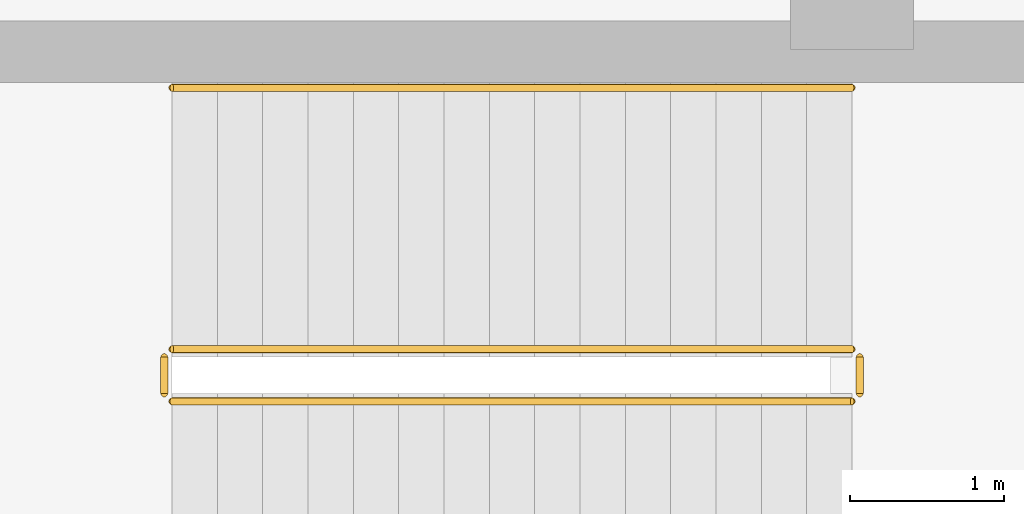
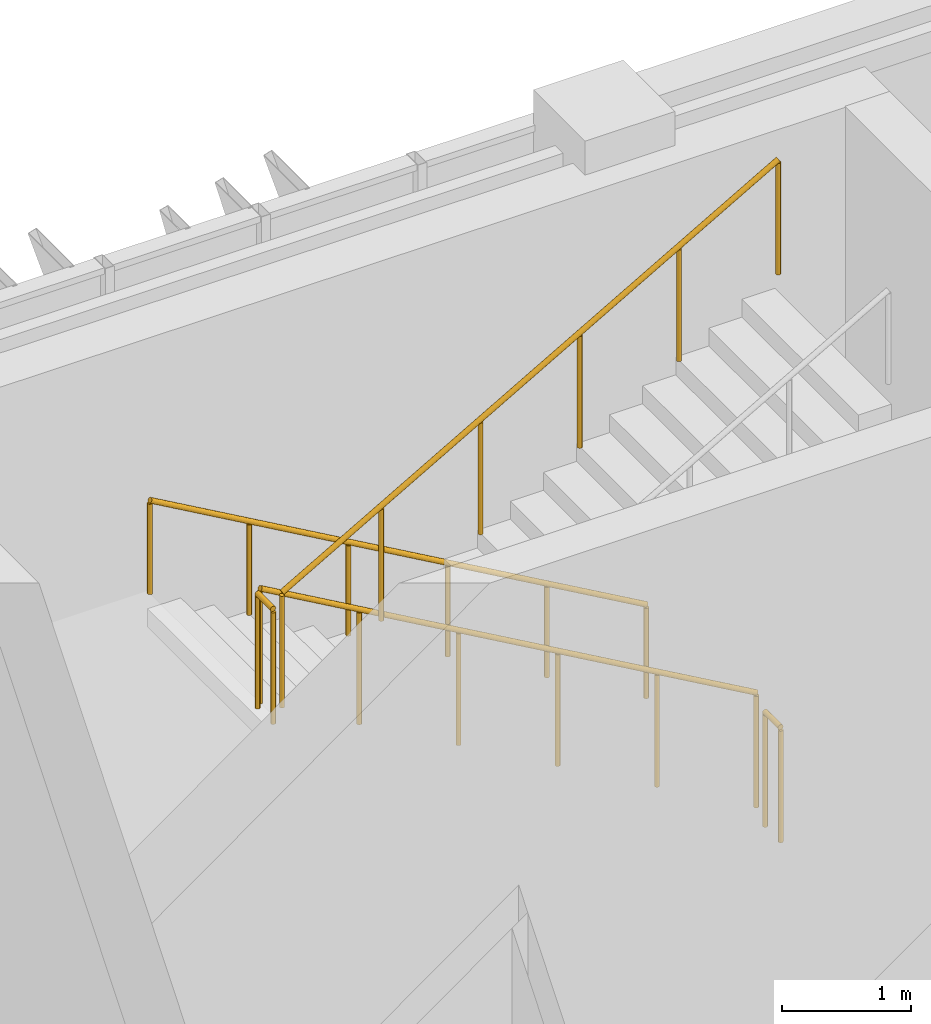
# One storey, part 113 of 122: 5 railings.
"""IFC4 building model written with IfcOpenShell, lengths in metres."""

from ifc_helpers import new_model, si_unit, direction, frame, origin, origin_2d, place, context, subcontext, project, spatial, circle, extrude, material, type_object, element, save


model = new_model("IFC4")

# Units and contexts
model_context = context("Model", 3, precision=1e-05, world=origin(), true_north=direction((0.0, 1.0)))
body_context = subcontext(model_context, "Body", "Model", "MODEL_VIEW")
ifc_project = project(units=[si_unit("LENGTHUNIT", "METRE"), si_unit("AREAUNIT", "SQUARE_METRE"), si_unit("VOLUMEUNIT", "CUBIC_METRE"), si_unit("PLANEANGLEUNIT", "RADIAN"), si_unit("MASSUNIT", "GRAM", prefix="KILO")], contexts=[model_context])

# Site, building, storey
site_placement = place(None, origin())
site = spatial("IfcSite", under=ifc_project, at=site_placement, CompositionType="ELEMENT")
building_placement = place(site_placement, origin())
building = spatial("IfcBuilding", under=site, at=building_placement, Name="Zayran Congress Hotel", CompositionType="ELEMENT")
storey_placement = place(building_placement, origin())
storey = spatial("IfcBuildingStorey", under=building, at=storey_placement, Name="L00", CompositionType="ELEMENT", Elevation=0.0)

# Railings
ifc_material_1 = material(Name="Painted steel balustrade", Category="steel")
railing_type_1 = type_object("IfcRailingType", Name="TP-GRD-INT", PredefinedType="GUARDRAIL", material=ifc_material_1)
railing_1_placement = place(storey_placement, frame((16.800048828125, 115.050048828125, 0.168701171875)))
element("IfcRailing", 1, at=railing_1_placement, inside=storey, type_object=railing_type_1, Name="L00 ST-03 stair guard 1", PredefinedType="GUARDRAIL", context=body_context, shape_type="SweptSolid", body=[
    extrude(circle(Radius=0.02392578125, at=origin_2d()), frame((0.0, 0.0, 1.076171875), z_axis=(-0.868019072493, 0.0, 0.49653085482), x_axis=(0.0, -1.0, 0.0)), (0.0, 0.0, 1.0), 5.097900390625),
    extrude(circle(Radius=0.02099609375, at=origin_2d()), origin(), (0.0, 0.0, 1.0), 1.052001953125),
    extrude(circle(Radius=0.02099609375, at=origin_2d()), frame((-0.885009765625, 0.0, 0.50634765625)), (0.0, 0.0, 1.0), 1.052001953125),
    extrude(circle(Radius=0.02099609375, at=origin_2d()), frame((-1.77001953125, 0.0, 1.012451171875)), (0.0, 0.0, 1.0), 1.052001953125),
    extrude(circle(Radius=0.02099609375, at=origin_2d()), frame((-2.655029296875, 0.0, 1.518798828125)), (0.0, 0.0, 1.0), 1.052001953125),
    extrude(circle(Radius=0.02099609375, at=origin_2d()), frame((-3.5400390625, 0.0, 2.02490234375)), (0.0, 0.0, 1.0), 1.052001953125),
    extrude(circle(Radius=0.02099609375, at=origin_2d()), frame((-4.425048828125, 0.0, 2.53125)), (0.0, 0.0, 1.0), 1.052001953125),
])
railing_2_placement = place(storey_placement, frame((12.324951171875, 115.0, 2.699951171875)))
element("IfcRailing", 2, at=railing_2_placement, inside=storey, type_object=railing_type_1, Name="L00 ST-03 stair guard 2", PredefinedType="GUARDRAIL", context=body_context, shape_type="SweptSolid", body=[
    extrude(circle(Radius=0.02392578125, at=origin_2d()), frame((0.0, 0.0, 1.076171875), z_axis=(0.0, -1.0, 0.0), x_axis=(1.0, 0.0, 0.0)), (0.0, 0.0, 1.0), 0.239990234375),
    extrude(circle(Radius=0.02099609375, at=origin_2d()), origin(), (0.0, 0.0, 1.0), 1.052001953125),
    extrude(circle(Radius=0.02099609375, at=origin_2d()), frame((0.0, -0.239990234375, 0.0)), (0.0, 0.0, 1.0), 1.052001953125),
])
railing_3_placement = place(storey_placement, frame((12.375, 114.7099609375, 2.86865234375)))
element("IfcRailing", 3, at=railing_3_placement, inside=storey, type_object=railing_type_1, Name="L00 ST-03 stair guard 3", PredefinedType="GUARDRAIL", context=body_context, shape_type="SweptSolid", body=[
    extrude(circle(Radius=0.02392578125, at=origin_2d()), frame((0.0, 0.0, 1.076171875), z_axis=(0.868019072493, 0.0, 0.49653085482), x_axis=(0.0, 1.0, 0.0)), (0.0, 0.0, 1.0), 5.097900390625),
    extrude(circle(Radius=0.02099609375, at=origin_2d()), origin(), (0.0, 0.0, 1.0), 1.052001953125),
    extrude(circle(Radius=0.02099609375, at=origin_2d()), frame((0.885009765625, 0.0, 0.50634765625)), (0.0, 0.0, 1.0), 1.052001953125),
    extrude(circle(Radius=0.02099609375, at=origin_2d()), frame((1.77001953125, 0.0, 1.012451171875)), (0.0, 0.0, 1.0), 1.052001953125),
    extrude(circle(Radius=0.02099609375, at=origin_2d()), frame((2.655029296875, 0.0, 1.518798828125)), (0.0, 0.0, 1.0), 1.052001953125),
    extrude(circle(Radius=0.02099609375, at=origin_2d()), frame((3.5400390625, 0.0, 2.02490234375)), (0.0, 0.0, 1.0), 1.052001953125),
    extrude(circle(Radius=0.02099609375, at=origin_2d()), frame((4.425048828125, 0.0, 2.53125)), (0.0, 0.0, 1.0), 1.052001953125),
])
railing_4_placement = place(storey_placement, frame((16.85009765625, 115.0, 0.0)))
element("IfcRailing", 4, at=railing_4_placement, inside=storey, type_object=railing_type_1, Name="L00 ST-03 stair guard 4", PredefinedType="GUARDRAIL", context=body_context, shape_type="SweptSolid", body=[
    extrude(circle(Radius=0.02392578125, at=origin_2d()), frame((0.0, 0.0, 1.076171875), z_axis=(0.0, -1.0, 0.0), x_axis=(1.0, 0.0, 0.0)), (0.0, 0.0, 1.0), 0.239990234375),
    extrude(circle(Radius=0.02099609375, at=origin_2d()), origin(), (0.0, 0.0, 1.0), 1.052001953125),
    extrude(circle(Radius=0.02099609375, at=origin_2d()), frame((0.0, -0.239990234375, 0.0)), (0.0, 0.0, 1.0), 1.052001953125),
])
ifc_material_2 = material(Name="Brushed stainless steel handrail", Category="steel")
railing_type_2 = type_object("IfcRailingType", Name="TP-HND-STR", PredefinedType="HANDRAIL", material=ifc_material_2)
railing_5_placement = place(storey_placement, frame((16.800048828125, 116.75, 0.168701171875)))
element("IfcRailing", 5, at=railing_5_placement, inside=storey, type_object=railing_type_2, Name="L00 ST-03 stair handrail 1", PredefinedType="HANDRAIL", context=body_context, shape_type="SweptSolid", body=[
    extrude(circle(Radius=0.02392578125, at=origin_2d()), frame((0.0, 0.0, 0.8759765625), z_axis=(-0.868019072493, 0.0, 0.49653085482), x_axis=(0.0, -1.0, 0.0)), (0.0, 0.0, 1.0), 5.097900390625),
    extrude(circle(Radius=0.02099609375, at=origin_2d()), origin(), (0.0, 0.0, 1.0), 0.851806640625),
    extrude(circle(Radius=0.02099609375, at=origin_2d()), frame((-0.885009765625, 0.0, 0.50634765625)), (0.0, 0.0, 1.0), 0.851806640625),
    extrude(circle(Radius=0.02099609375, at=origin_2d()), frame((-1.77001953125, 0.0, 1.012451171875)), (0.0, 0.0, 1.0), 0.851806640625),
    extrude(circle(Radius=0.02099609375, at=origin_2d()), frame((-2.655029296875, 0.0, 1.518798828125)), (0.0, 0.0, 1.0), 0.851806640625),
    extrude(circle(Radius=0.02099609375, at=origin_2d()), frame((-3.5400390625, 0.0, 2.02490234375)), (0.0, 0.0, 1.0), 0.851806640625),
    extrude(circle(Radius=0.02099609375, at=origin_2d()), frame((-4.425048828125, 0.0, 2.53125)), (0.0, 0.0, 1.0), 0.851806640625),
])

save(model, "model.ifc")
